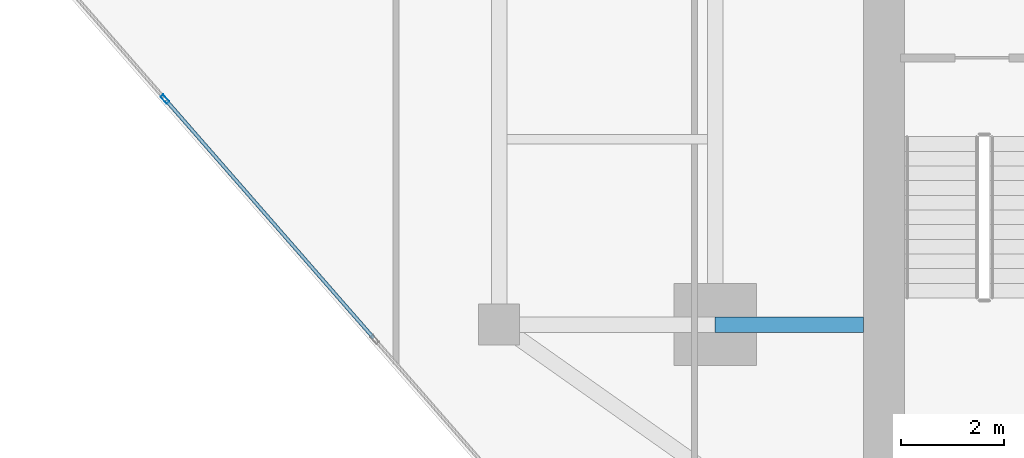
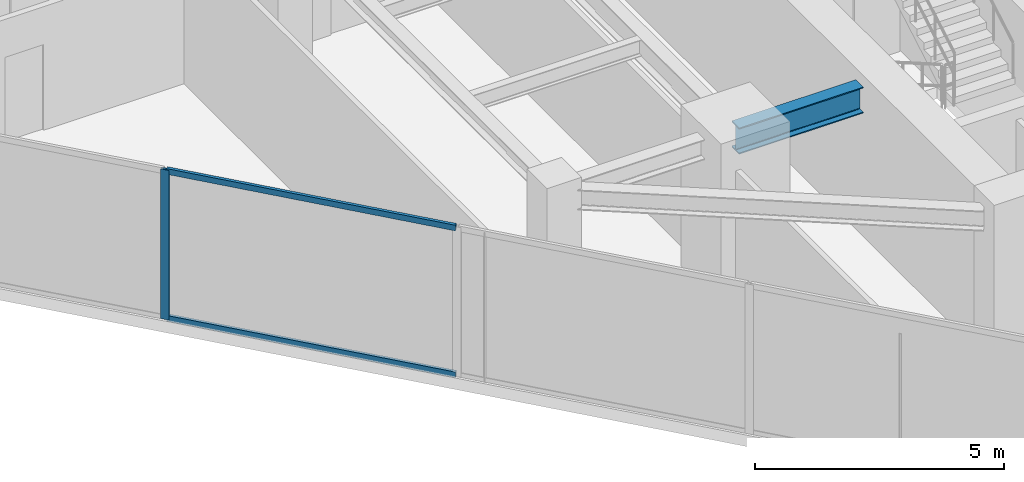
# One storey, part 4 of 24: 3 members, 1 beam, 1 element without a shape of its own.
"""IFC4 building model written with IfcOpenShell, lengths in metres."""

from ifc_helpers import new_model, si_unit, direction, frame, origin, origin_2d, place, context, subcontext, project, spatial, hollow_rectangle, i_section, extrude, source, transform, mapped, material, material_profile, profile_set, type_object, type_shapes, element, aggregate, save


model = new_model("IFC4")

# Units and contexts
model_context = context("Model", 3, precision=1e-05, world=origin(), true_north=direction((0.0, 1.0)))
body_context = subcontext(model_context, "Body", "Model", "MODEL_VIEW")
ifc_project = project(units=[si_unit("LENGTHUNIT", "METRE"), si_unit("AREAUNIT", "SQUARE_METRE"), si_unit("VOLUMEUNIT", "CUBIC_METRE"), si_unit("PLANEANGLEUNIT", "RADIAN"), si_unit("MASSUNIT", "GRAM", prefix="KILO")], contexts=[model_context])

# Site, building, storey
site_placement = place(None, origin())
site = spatial("IfcSite", under=ifc_project, at=site_placement, CompositionType="ELEMENT")
building_placement = place(site_placement, origin())
building = spatial("IfcBuilding", under=site, at=building_placement, Name="Krantzveldt Concourse Tower", CompositionType="ELEMENT")
storey_placement = place(building_placement, frame((0.0, 0.0, 254.699951171875)))
storey = spatial("IfcBuildingStorey", under=building, at=storey_placement, Name="L62", CompositionType="ELEMENT", Elevation=254.699951171875)

# Beam
ifc_material_1 = material(Name="Steel S355JR", Category="steel")
ifc_material_profile_1 = material_profile(ifc_material_1, i_section(OverallWidth=0.300048828125, OverallDepth=0.639892578125, WebThickness=0.013427734375, FlangeThickness=0.02587890625, FilletRadius=0.027099609375, at=origin_2d()), Name="Steel S355JR", Category="steel")
ifc_profile_set_1 = profile_set([ifc_material_profile_1], Name="Steel S355JR - HEA 650")
beam_type = type_object("IfcBeamType", Name="BM-B-HEA650", PredefinedType="BEAM", material=ifc_profile_set_1)
shared_shape_1 = source(origin(), body_context, "Body", "SweptSolid", [
    extrude(i_section(OverallWidth=0.300048828125, OverallDepth=0.639892578125, WebThickness=0.013427734375, FlangeThickness=0.02587890625, FilletRadius=0.027099609375, at=origin_2d()), origin(), (0.0, 0.0, 1.0), 2.880126953125),
])
type_shapes(beam_type, [shared_shape_1])
beam_placement = place(storey_placement, frame((25.199951171875, 15.89990234375, 3.35009765625), z_axis=(1.0, 0.0, 0.0), x_axis=(0.0, 1.0, 0.0)))
element("IfcBeam", 1, at=beam_placement, inside=storey, type_object=beam_type, Name="L62 Tower Girder BG-CW1", PredefinedType="BEAM", context=body_context, shape_type="MappedRepresentation", body=[
    mapped(shared_shape_1, transform((0.0, 0.0, 0.0), x_axis=(1.0, 0.0, 0.0), y_axis=(0.0, 1.0, 0.0), z_axis=(0.0, 0.0, 1.0), scale=1.0)),
])

# Curtain wall, members
ifc_material_2 = material(Name="Anodised aluminium 6063-T6", Category="aluminium")
curtain_wall_type = type_object("IfcCurtainWallType", Name="CW3", PredefinedType="USERDEFINED", material=ifc_material_2)
curtain_wall_placement = place(storey_placement, origin())
curtain_wall = element("IfcCurtainWall", 2, at=curtain_wall_placement, inside=storey, type_object=curtain_wall_type, Name="CW-L62-F04", ObjectType="UNITISED CURTAIN WALL", PredefinedType="USERDEFINED")
ifc_material_profile_2 = material_profile(ifc_material_2, hollow_rectangle(XDim=0.070068359375, YDim=0.179931640625, WallThickness=0.0048828125, at=origin_2d()), Name="Anodised aluminium 6063-T6", Category="aluminium")
ifc_profile_set_2 = profile_set([ifc_material_profile_2], Name="Anodised aluminium 6063-T6 - ALU-MULL 180x70x5")
member_type_1 = type_object("IfcMemberType", Name="CW-MUL-180", PredefinedType="MULLION", material=ifc_profile_set_2)
shared_shape_2 = source(origin(), body_context, "Body", "SweptSolid", [
    extrude(hollow_rectangle(XDim=0.070068359375, YDim=0.179931640625, WallThickness=0.0048828125, at=origin_2d()), origin(), (0.0, 0.0, 1.0), 3.670166015625),
])
type_shapes(member_type_1, [shared_shape_2])
member_1_placement = place(storey_placement, frame((14.509033203125, 20.28173828125, 0.0), z_axis=(0.0, 0.0, 1.0), x_axis=(0.753276529034, 0.657703938567, 0.0)))
member_1 = element("IfcMember", 3, at=member_1_placement, type_object=member_type_1, Name="CW-Z34 mullion 2", PredefinedType="MULLION", context=body_context, shape_type="MappedRepresentation", body=[
    mapped(shared_shape_2, transform((0.0, 0.0, 0.0), x_axis=(1.0, 0.0, 0.0), y_axis=(0.0, 1.0, 0.0), z_axis=(0.0, 0.0, 1.0), scale=1.0)),
])
ifc_material_profile_3 = material_profile(ifc_material_2, hollow_rectangle(XDim=0.070068359375, YDim=0.139892578125, WallThickness=0.0048828125, at=origin_2d()), Name="Anodised aluminium 6063-T6", Category="aluminium")
ifc_profile_set_3 = profile_set([ifc_material_profile_3], Name="Anodised aluminium 6063-T6 - ALU-TRAN 140x70x5")
member_type_2 = type_object("IfcMemberType", Name="CW-TRN-150", PredefinedType="USERDEFINED", material=ifc_profile_set_3)
shared_shape_3 = source(origin(), body_context, "Body", "SweptSolid", [
    extrude(hollow_rectangle(XDim=0.070068359375, YDim=0.139892578125, WallThickness=0.0048828125, at=origin_2d()), origin(), (0.0, 0.0, 1.0), 6.130126953125),
])
type_shapes(member_type_2, [shared_shape_3])
member_2_placement = place(storey_placement, frame((14.531982421875, 20.25537109375, 0.03515625), z_axis=(0.657697827635, -0.753281864593, 0.0), x_axis=(0.753281864593, 0.657697827635, 0.0)))
member_2 = element("IfcMember", 4, at=member_2_placement, type_object=member_type_2, Name="CW-Z34 transom 2.1", ObjectType="TRANSOM", PredefinedType="USERDEFINED", context=body_context, shape_type="MappedRepresentation", body=[
    mapped(shared_shape_3, transform((0.0, 0.0, 0.0), x_axis=(1.0, 0.0, 0.0), y_axis=(0.0, 1.0, 0.0), z_axis=(0.0, 0.0, 1.0), scale=1.0)),
])
member_3_placement = place(storey_placement, frame((14.531982421875, 20.25537109375, 3.635009765625), z_axis=(0.657697827635, -0.753281864593, 0.0), x_axis=(0.753281864593, 0.657697827635, 0.0)))
member_3 = element("IfcMember", 5, at=member_3_placement, type_object=member_type_2, Name="CW-Z34 transom 2.2", ObjectType="TRANSOM", PredefinedType="USERDEFINED", context=body_context, shape_type="MappedRepresentation", body=[
    mapped(shared_shape_3, transform((0.0, 0.0, 0.0), x_axis=(1.0, 0.0, 0.0), y_axis=(0.0, 1.0, 0.0), z_axis=(0.0, 0.0, 1.0), scale=1.0)),
])
aggregate(curtain_wall, [member_1, member_2, member_3])

save(model, "model.ifc")
